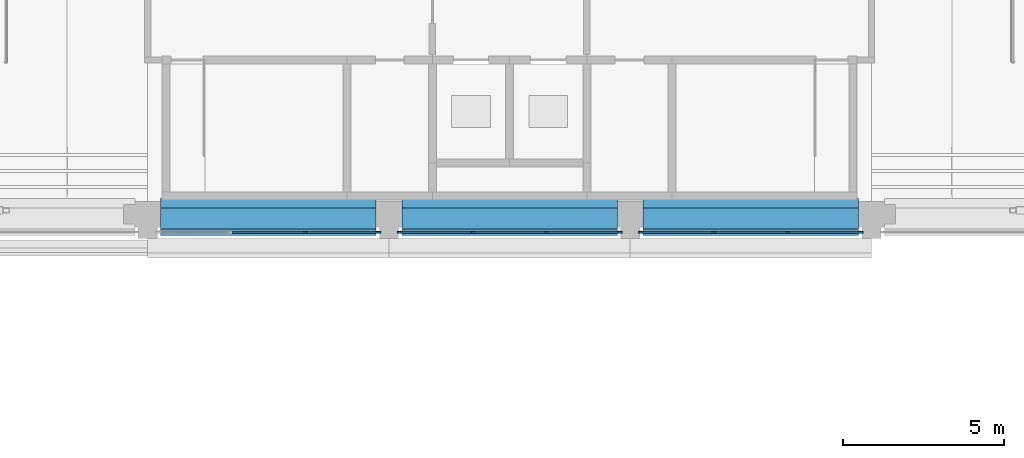
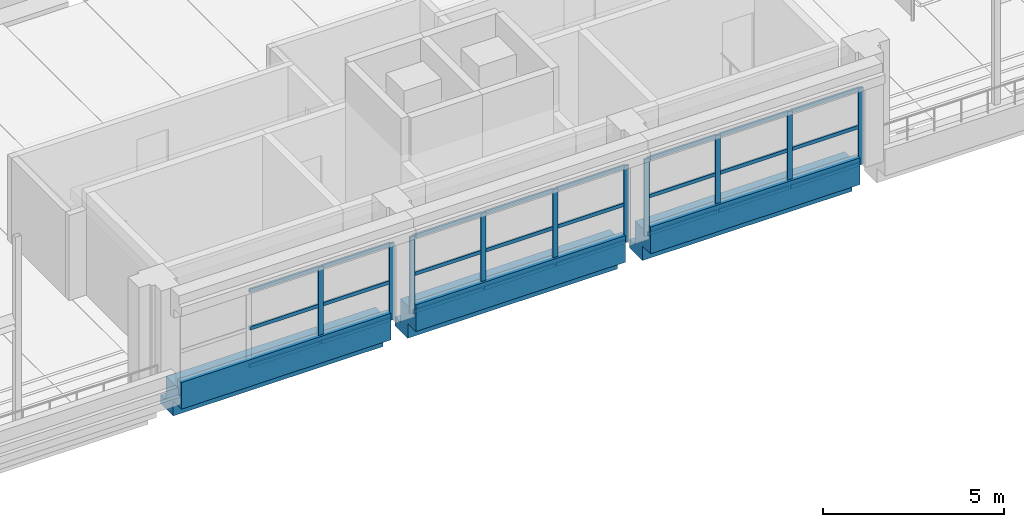
# One storey, part 11 of 62: 34 members, 3 beams, 3 elements without a shape of their own.
"""IFC4 building model written with IfcOpenShell, lengths in metres."""

from ifc_helpers import new_model, si_unit, direction, frame, origin, origin_2d, place, context, subcontext, project, spatial, polyline, rectangle, outline, extrude, material, layer, layer_set, material_profile, profile_set, type_object, element, aggregate, save


model = new_model("IFC4")

# Units and contexts
model_context = context("Model", 3, precision=1e-05, world=origin(), true_north=direction((0.0, 1.0)))
body_context = subcontext(model_context, "Body", "Model", "MODEL_VIEW")
ifc_project = project(units=[si_unit("LENGTHUNIT", "METRE"), si_unit("AREAUNIT", "SQUARE_METRE"), si_unit("VOLUMEUNIT", "CUBIC_METRE"), si_unit("PLANEANGLEUNIT", "RADIAN"), si_unit("MASSUNIT", "GRAM", prefix="KILO")], contexts=[model_context])

# Site, building, storey
site_placement = place(None, origin())
site = spatial("IfcSite", under=ifc_project, at=site_placement, CompositionType="ELEMENT")
building_placement = place(site_placement, origin())
building = spatial("IfcBuilding", under=site, at=building_placement, Name="Cour d'Honneur Mobility Palace", CompositionType="ELEMENT")
storey_placement = place(building_placement, frame((0.0, 0.0, 19.300048828125)))
storey = spatial("IfcBuildingStorey", under=building, at=storey_placement, Name="L05", CompositionType="ELEMENT", Elevation=19.300048828125)

# Curtain wall, members
ifc_material_1 = material(Name="Aluminium and glass", Category="aluminium")
ifc_layer = layer(ifc_material_1, 0.10009765625)
ifc_layer_set = layer_set([ifc_layer], Name="Aluminium and glass")
curtain_wall_type = type_object("IfcCurtainWallType", Name="Curtain wall run", PredefinedType="NOTDEFINED", material=ifc_layer_set)
curtain_wall_1_placement = place(storey_placement, origin())
curtain_wall_1 = element("IfcCurtainWall", 1, at=curtain_wall_1_placement, inside=storey, type_object=curtain_wall_type, Name="Curtain wall CW-84", PredefinedType="NOTDEFINED")
ifc_material_2 = material(Name="Aluminium", Category="aluminium")
ifc_material_profile_1 = material_profile(ifc_material_2, rectangle(XDim=0.06005859375, YDim=0.159912109375, at=origin_2d()), Name="Curtain wall mullion")
ifc_profile_set_1 = profile_set([ifc_material_profile_1], Name="Aluminium")
member_type_1 = type_object("IfcMemberType", Name="Curtain wall mullion", PredefinedType="MULLION", material=ifc_profile_set_1)
member_1_placement = place(storey_placement, frame((74.800048828125, 44.449951171875, 0.0), z_axis=(0.0, 0.0, 1.0), x_axis=(0.0, 1.0, 0.0)))
member_1 = element("IfcMember", 2, at=member_1_placement, type_object=member_type_1, Name="CW-84 mullion 3", PredefinedType="MULLION", context=body_context, shape_type="SweptSolid", body=[
    extrude(rectangle(XDim=0.06005859375, YDim=0.159912109375, at=origin_2d()), origin(), (0.0, 0.0, 1.0), 2.599853515625),
])
member_2_placement = place(storey_placement, frame((77.070068359375, 44.449951171875, 0.0), z_axis=(0.0, 0.0, 1.0), x_axis=(0.0, 1.0, 0.0)))
member_2 = element("IfcMember", 3, at=member_2_placement, type_object=member_type_1, Name="CW-84 mullion 4", PredefinedType="MULLION", context=body_context, shape_type="SweptSolid", body=[
    extrude(rectangle(XDim=0.06005859375, YDim=0.159912109375, at=origin_2d()), origin(), (0.0, 0.0, 1.0), 2.599853515625),
])

curtain_wall_2_placement = place(storey_placement, origin())
curtain_wall_2 = element("IfcCurtainWall", 4, at=curtain_wall_2_placement, inside=storey, type_object=curtain_wall_type, Name="Curtain wall CW-85", PredefinedType="NOTDEFINED")
member_3_placement = place(storey_placement, frame((77.72998046875, 44.449951171875, 0.0), z_axis=(0.0, 0.0, 1.0), x_axis=(0.0, 1.0, 0.0)))
member_3 = element("IfcMember", 5, at=member_3_placement, type_object=member_type_1, Name="CW-85 mullion 1", PredefinedType="MULLION", context=body_context, shape_type="SweptSolid", body=[
    extrude(rectangle(XDim=0.06005859375, YDim=0.159912109375, at=origin_2d()), origin(), (0.0, 0.0, 1.0), 2.599853515625),
])
member_4_placement = place(storey_placement, frame((80.0, 44.449951171875, 0.0), z_axis=(0.0, 0.0, 1.0), x_axis=(0.0, 1.0, 0.0)))
member_4 = element("IfcMember", 6, at=member_4_placement, type_object=member_type_1, Name="CW-85 mullion 2", PredefinedType="MULLION", context=body_context, shape_type="SweptSolid", body=[
    extrude(rectangle(XDim=0.06005859375, YDim=0.159912109375, at=origin_2d()), origin(), (0.0, 0.0, 1.0), 2.599853515625),
])
member_5_placement = place(storey_placement, frame((82.300048828125, 44.449951171875, 0.0), z_axis=(0.0, 0.0, 1.0), x_axis=(0.0, 1.0, 0.0)))
member_5 = element("IfcMember", 7, at=member_5_placement, type_object=member_type_1, Name="CW-85 mullion 3", PredefinedType="MULLION", context=body_context, shape_type="SweptSolid", body=[
    extrude(rectangle(XDim=0.06005859375, YDim=0.159912109375, at=origin_2d()), origin(), (0.0, 0.0, 1.0), 2.599853515625),
])
member_6_placement = place(storey_placement, frame((84.570068359375, 44.449951171875, 0.0), z_axis=(0.0, 0.0, 1.0), x_axis=(0.0, 1.0, 0.0)))
member_6 = element("IfcMember", 8, at=member_6_placement, type_object=member_type_1, Name="CW-85 mullion 4", PredefinedType="MULLION", context=body_context, shape_type="SweptSolid", body=[
    extrude(rectangle(XDim=0.06005859375, YDim=0.159912109375, at=origin_2d()), origin(), (0.0, 0.0, 1.0), 2.599853515625),
])

curtain_wall_3_placement = place(storey_placement, origin())
curtain_wall_3 = element("IfcCurtainWall", 9, at=curtain_wall_3_placement, inside=storey, type_object=curtain_wall_type, Name="Curtain wall CW-86", PredefinedType="NOTDEFINED")
member_7_placement = place(storey_placement, frame((85.22998046875, 44.449951171875, 0.0), z_axis=(0.0, 0.0, 1.0), x_axis=(0.0, 1.0, 0.0)))
member_7 = element("IfcMember", 10, at=member_7_placement, type_object=member_type_1, Name="CW-86 mullion 1", PredefinedType="MULLION", context=body_context, shape_type="SweptSolid", body=[
    extrude(rectangle(XDim=0.06005859375, YDim=0.159912109375, at=origin_2d()), origin(), (0.0, 0.0, 1.0), 2.599853515625),
])
member_8_placement = place(storey_placement, frame((87.5, 44.449951171875, 0.0), z_axis=(0.0, 0.0, 1.0), x_axis=(0.0, 1.0, 0.0)))
member_8 = element("IfcMember", 11, at=member_8_placement, type_object=member_type_1, Name="CW-86 mullion 2", PredefinedType="MULLION", context=body_context, shape_type="SweptSolid", body=[
    extrude(rectangle(XDim=0.06005859375, YDim=0.159912109375, at=origin_2d()), origin(), (0.0, 0.0, 1.0), 2.599853515625),
])
member_9_placement = place(storey_placement, frame((89.800048828125, 44.449951171875, 0.0), z_axis=(0.0, 0.0, 1.0), x_axis=(0.0, 1.0, 0.0)))
member_9 = element("IfcMember", 12, at=member_9_placement, type_object=member_type_1, Name="CW-86 mullion 3", PredefinedType="MULLION", context=body_context, shape_type="SweptSolid", body=[
    extrude(rectangle(XDim=0.06005859375, YDim=0.159912109375, at=origin_2d()), origin(), (0.0, 0.0, 1.0), 2.599853515625),
])
member_10_placement = place(storey_placement, frame((92.070068359375, 44.449951171875, 0.0), z_axis=(0.0, 0.0, 1.0), x_axis=(0.0, 1.0, 0.0)))
member_10 = element("IfcMember", 13, at=member_10_placement, type_object=member_type_1, Name="CW-86 mullion 4", PredefinedType="MULLION", context=body_context, shape_type="SweptSolid", body=[
    extrude(rectangle(XDim=0.06005859375, YDim=0.159912109375, at=origin_2d()), origin(), (0.0, 0.0, 1.0), 2.599853515625),
])

# Member
ifc_material_3 = material(Name="Aluminium", Category="aluminium")
ifc_material_profile_2 = material_profile(ifc_material_3, rectangle(XDim=0.06005859375, YDim=0.1201171875, at=origin_2d()), Name="Curtain wall transom")
ifc_profile_set_2 = profile_set([ifc_material_profile_2], Name="Aluminium")
member_type_2 = type_object("IfcMemberType", Name="Curtain wall transom", PredefinedType="USERDEFINED", material=ifc_profile_set_2)
member_11_placement = place(storey_placement, frame((72.530029296875, 44.449951171875, 0.030029296875), z_axis=(1.0, 0.0, 0.0), x_axis=(0.0, 1.0, 0.0)))
member_11 = element("IfcMember", 14, at=member_11_placement, type_object=member_type_2, Name="CW-84 transom 2.1", ObjectType="TRANSOM", PredefinedType="USERDEFINED", context=body_context, shape_type="SweptSolid", body=[
    extrude(rectangle(XDim=0.06005859375, YDim=0.1201171875, at=origin_2d()), origin(), (0.0, 0.0, 1.0), 2.239990234375),
])

member_12_placement = place(storey_placement, frame((72.530029296875, 44.449951171875, 1.300048828125), z_axis=(1.0, 0.0, 0.0), x_axis=(0.0, 1.0, 0.0)))
member_12 = element("IfcMember", 15, at=member_12_placement, type_object=member_type_2, Name="CW-84 transom 2.2", ObjectType="TRANSOM", PredefinedType="USERDEFINED", context=body_context, shape_type="SweptSolid", body=[
    extrude(rectangle(XDim=0.06005859375, YDim=0.1201171875, at=origin_2d()), origin(), (0.0, 0.0, 1.0), 2.239990234375),
])

member_13_placement = place(storey_placement, frame((72.530029296875, 44.449951171875, 2.570068359375), z_axis=(1.0, 0.0, 0.0), x_axis=(0.0, 1.0, 0.0)))
member_13 = element("IfcMember", 16, at=member_13_placement, type_object=member_type_2, Name="CW-84 transom 2.3", ObjectType="TRANSOM", PredefinedType="USERDEFINED", context=body_context, shape_type="SweptSolid", body=[
    extrude(rectangle(XDim=0.06005859375, YDim=0.1201171875, at=origin_2d()), origin(), (0.0, 0.0, 1.0), 2.239990234375),
])

member_14_placement = place(storey_placement, frame((74.830078125, 44.449951171875, 0.030029296875), z_axis=(1.0, 0.0, 0.0), x_axis=(0.0, 1.0, 0.0)))
member_14 = element("IfcMember", 17, at=member_14_placement, type_object=member_type_2, Name="CW-84 transom 3.1", ObjectType="TRANSOM", PredefinedType="USERDEFINED", context=body_context, shape_type="SweptSolid", body=[
    extrude(rectangle(XDim=0.06005859375, YDim=0.1201171875, at=origin_2d()), origin(), (0.0, 0.0, 1.0), 2.2099609375),
])

member_15_placement = place(storey_placement, frame((74.830078125, 44.449951171875, 1.300048828125), z_axis=(1.0, 0.0, 0.0), x_axis=(0.0, 1.0, 0.0)))
member_15 = element("IfcMember", 18, at=member_15_placement, type_object=member_type_2, Name="CW-84 transom 3.2", ObjectType="TRANSOM", PredefinedType="USERDEFINED", context=body_context, shape_type="SweptSolid", body=[
    extrude(rectangle(XDim=0.06005859375, YDim=0.1201171875, at=origin_2d()), origin(), (0.0, 0.0, 1.0), 2.2099609375),
])

member_16_placement = place(storey_placement, frame((74.830078125, 44.449951171875, 2.570068359375), z_axis=(1.0, 0.0, 0.0), x_axis=(0.0, 1.0, 0.0)))
member_16 = element("IfcMember", 19, at=member_16_placement, type_object=member_type_2, Name="CW-84 transom 3.3", ObjectType="TRANSOM", PredefinedType="USERDEFINED", context=body_context, shape_type="SweptSolid", body=[
    extrude(rectangle(XDim=0.06005859375, YDim=0.1201171875, at=origin_2d()), origin(), (0.0, 0.0, 1.0), 2.2099609375),
])

aggregate(curtain_wall_1, [member_1, member_2, member_11, member_12, member_13, member_14, member_15, member_16])

member_17_placement = place(storey_placement, frame((77.760009765625, 44.449951171875, 0.030029296875), z_axis=(1.0, 0.0, 0.0), x_axis=(0.0, 1.0, 0.0)))
member_17 = element("IfcMember", 20, at=member_17_placement, type_object=member_type_2, Name="CW-85 transom 1.1", ObjectType="TRANSOM", PredefinedType="USERDEFINED", context=body_context, shape_type="SweptSolid", body=[
    extrude(rectangle(XDim=0.06005859375, YDim=0.1201171875, at=origin_2d()), origin(), (0.0, 0.0, 1.0), 2.2099609375),
])

member_18_placement = place(storey_placement, frame((77.760009765625, 44.449951171875, 1.300048828125), z_axis=(1.0, 0.0, 0.0), x_axis=(0.0, 1.0, 0.0)))
member_18 = element("IfcMember", 21, at=member_18_placement, type_object=member_type_2, Name="CW-85 transom 1.2", ObjectType="TRANSOM", PredefinedType="USERDEFINED", context=body_context, shape_type="SweptSolid", body=[
    extrude(rectangle(XDim=0.06005859375, YDim=0.1201171875, at=origin_2d()), origin(), (0.0, 0.0, 1.0), 2.2099609375),
])

member_19_placement = place(storey_placement, frame((77.760009765625, 44.449951171875, 2.570068359375), z_axis=(1.0, 0.0, 0.0), x_axis=(0.0, 1.0, 0.0)))
member_19 = element("IfcMember", 22, at=member_19_placement, type_object=member_type_2, Name="CW-85 transom 1.3", ObjectType="TRANSOM", PredefinedType="USERDEFINED", context=body_context, shape_type="SweptSolid", body=[
    extrude(rectangle(XDim=0.06005859375, YDim=0.1201171875, at=origin_2d()), origin(), (0.0, 0.0, 1.0), 2.2099609375),
])

member_20_placement = place(storey_placement, frame((80.030029296875, 44.449951171875, 0.030029296875), z_axis=(1.0, 0.0, 0.0), x_axis=(0.0, 1.0, 0.0)))
member_20 = element("IfcMember", 23, at=member_20_placement, type_object=member_type_2, Name="CW-85 transom 2.1", ObjectType="TRANSOM", PredefinedType="USERDEFINED", context=body_context, shape_type="SweptSolid", body=[
    extrude(rectangle(XDim=0.06005859375, YDim=0.1201171875, at=origin_2d()), origin(), (0.0, 0.0, 1.0), 2.239990234375),
])

member_21_placement = place(storey_placement, frame((80.030029296875, 44.449951171875, 1.300048828125), z_axis=(1.0, 0.0, 0.0), x_axis=(0.0, 1.0, 0.0)))
member_21 = element("IfcMember", 24, at=member_21_placement, type_object=member_type_2, Name="CW-85 transom 2.2", ObjectType="TRANSOM", PredefinedType="USERDEFINED", context=body_context, shape_type="SweptSolid", body=[
    extrude(rectangle(XDim=0.06005859375, YDim=0.1201171875, at=origin_2d()), origin(), (0.0, 0.0, 1.0), 2.239990234375),
])

member_22_placement = place(storey_placement, frame((80.030029296875, 44.449951171875, 2.570068359375), z_axis=(1.0, 0.0, 0.0), x_axis=(0.0, 1.0, 0.0)))
member_22 = element("IfcMember", 25, at=member_22_placement, type_object=member_type_2, Name="CW-85 transom 2.3", ObjectType="TRANSOM", PredefinedType="USERDEFINED", context=body_context, shape_type="SweptSolid", body=[
    extrude(rectangle(XDim=0.06005859375, YDim=0.1201171875, at=origin_2d()), origin(), (0.0, 0.0, 1.0), 2.239990234375),
])

member_23_placement = place(storey_placement, frame((82.330078125, 44.449951171875, 0.030029296875), z_axis=(1.0, 0.0, 0.0), x_axis=(0.0, 1.0, 0.0)))
member_23 = element("IfcMember", 26, at=member_23_placement, type_object=member_type_2, Name="CW-85 transom 3.1", ObjectType="TRANSOM", PredefinedType="USERDEFINED", context=body_context, shape_type="SweptSolid", body=[
    extrude(rectangle(XDim=0.06005859375, YDim=0.1201171875, at=origin_2d()), origin(), (0.0, 0.0, 1.0), 2.2099609375),
])

member_24_placement = place(storey_placement, frame((82.330078125, 44.449951171875, 1.300048828125), z_axis=(1.0, 0.0, 0.0), x_axis=(0.0, 1.0, 0.0)))
member_24 = element("IfcMember", 27, at=member_24_placement, type_object=member_type_2, Name="CW-85 transom 3.2", ObjectType="TRANSOM", PredefinedType="USERDEFINED", context=body_context, shape_type="SweptSolid", body=[
    extrude(rectangle(XDim=0.06005859375, YDim=0.1201171875, at=origin_2d()), origin(), (0.0, 0.0, 1.0), 2.2099609375),
])

member_25_placement = place(storey_placement, frame((82.330078125, 44.449951171875, 2.570068359375), z_axis=(1.0, 0.0, 0.0), x_axis=(0.0, 1.0, 0.0)))
member_25 = element("IfcMember", 28, at=member_25_placement, type_object=member_type_2, Name="CW-85 transom 3.3", ObjectType="TRANSOM", PredefinedType="USERDEFINED", context=body_context, shape_type="SweptSolid", body=[
    extrude(rectangle(XDim=0.06005859375, YDim=0.1201171875, at=origin_2d()), origin(), (0.0, 0.0, 1.0), 2.2099609375),
])

aggregate(curtain_wall_2, [member_3, member_4, member_5, member_6, member_17, member_18, member_19, member_20, member_21, member_22, member_23, member_24, member_25])

member_26_placement = place(storey_placement, frame((85.260009765625, 44.449951171875, 0.030029296875), z_axis=(1.0, 0.0, 0.0), x_axis=(0.0, 1.0, 0.0)))
member_26 = element("IfcMember", 29, at=member_26_placement, type_object=member_type_2, Name="CW-86 transom 1.1", ObjectType="TRANSOM", PredefinedType="USERDEFINED", context=body_context, shape_type="SweptSolid", body=[
    extrude(rectangle(XDim=0.06005859375, YDim=0.1201171875, at=origin_2d()), origin(), (0.0, 0.0, 1.0), 2.2099609375),
])

member_27_placement = place(storey_placement, frame((85.260009765625, 44.449951171875, 1.300048828125), z_axis=(1.0, 0.0, 0.0), x_axis=(0.0, 1.0, 0.0)))
member_27 = element("IfcMember", 30, at=member_27_placement, type_object=member_type_2, Name="CW-86 transom 1.2", ObjectType="TRANSOM", PredefinedType="USERDEFINED", context=body_context, shape_type="SweptSolid", body=[
    extrude(rectangle(XDim=0.06005859375, YDim=0.1201171875, at=origin_2d()), origin(), (0.0, 0.0, 1.0), 2.2099609375),
])

member_28_placement = place(storey_placement, frame((85.260009765625, 44.449951171875, 2.570068359375), z_axis=(1.0, 0.0, 0.0), x_axis=(0.0, 1.0, 0.0)))
member_28 = element("IfcMember", 31, at=member_28_placement, type_object=member_type_2, Name="CW-86 transom 1.3", ObjectType="TRANSOM", PredefinedType="USERDEFINED", context=body_context, shape_type="SweptSolid", body=[
    extrude(rectangle(XDim=0.06005859375, YDim=0.1201171875, at=origin_2d()), origin(), (0.0, 0.0, 1.0), 2.2099609375),
])

member_29_placement = place(storey_placement, frame((87.530029296875, 44.449951171875, 0.030029296875), z_axis=(1.0, 0.0, 0.0), x_axis=(0.0, 1.0, 0.0)))
member_29 = element("IfcMember", 32, at=member_29_placement, type_object=member_type_2, Name="CW-86 transom 2.1", ObjectType="TRANSOM", PredefinedType="USERDEFINED", context=body_context, shape_type="SweptSolid", body=[
    extrude(rectangle(XDim=0.06005859375, YDim=0.1201171875, at=origin_2d()), origin(), (0.0, 0.0, 1.0), 2.239990234375),
])

member_30_placement = place(storey_placement, frame((87.530029296875, 44.449951171875, 1.300048828125), z_axis=(1.0, 0.0, 0.0), x_axis=(0.0, 1.0, 0.0)))
member_30 = element("IfcMember", 33, at=member_30_placement, type_object=member_type_2, Name="CW-86 transom 2.2", ObjectType="TRANSOM", PredefinedType="USERDEFINED", context=body_context, shape_type="SweptSolid", body=[
    extrude(rectangle(XDim=0.06005859375, YDim=0.1201171875, at=origin_2d()), origin(), (0.0, 0.0, 1.0), 2.239990234375),
])

member_31_placement = place(storey_placement, frame((87.530029296875, 44.449951171875, 2.570068359375), z_axis=(1.0, 0.0, 0.0), x_axis=(0.0, 1.0, 0.0)))
member_31 = element("IfcMember", 34, at=member_31_placement, type_object=member_type_2, Name="CW-86 transom 2.3", ObjectType="TRANSOM", PredefinedType="USERDEFINED", context=body_context, shape_type="SweptSolid", body=[
    extrude(rectangle(XDim=0.06005859375, YDim=0.1201171875, at=origin_2d()), origin(), (0.0, 0.0, 1.0), 2.239990234375),
])

member_32_placement = place(storey_placement, frame((89.830078125, 44.449951171875, 0.030029296875), z_axis=(1.0, 0.0, 0.0), x_axis=(0.0, 1.0, 0.0)))
member_32 = element("IfcMember", 35, at=member_32_placement, type_object=member_type_2, Name="CW-86 transom 3.1", ObjectType="TRANSOM", PredefinedType="USERDEFINED", context=body_context, shape_type="SweptSolid", body=[
    extrude(rectangle(XDim=0.06005859375, YDim=0.1201171875, at=origin_2d()), origin(), (0.0, 0.0, 1.0), 2.2099609375),
])

member_33_placement = place(storey_placement, frame((89.830078125, 44.449951171875, 1.300048828125), z_axis=(1.0, 0.0, 0.0), x_axis=(0.0, 1.0, 0.0)))
member_33 = element("IfcMember", 36, at=member_33_placement, type_object=member_type_2, Name="CW-86 transom 3.2", ObjectType="TRANSOM", PredefinedType="USERDEFINED", context=body_context, shape_type="SweptSolid", body=[
    extrude(rectangle(XDim=0.06005859375, YDim=0.1201171875, at=origin_2d()), origin(), (0.0, 0.0, 1.0), 2.2099609375),
])

member_34_placement = place(storey_placement, frame((89.830078125, 44.449951171875, 2.570068359375), z_axis=(1.0, 0.0, 0.0), x_axis=(0.0, 1.0, 0.0)))
member_34 = element("IfcMember", 37, at=member_34_placement, type_object=member_type_2, Name="CW-86 transom 3.3", ObjectType="TRANSOM", PredefinedType="USERDEFINED", context=body_context, shape_type="SweptSolid", body=[
    extrude(rectangle(XDim=0.06005859375, YDim=0.1201171875, at=origin_2d()), origin(), (0.0, 0.0, 1.0), 2.2099609375),
])

aggregate(curtain_wall_3, [member_7, member_8, member_9, member_10, member_26, member_27, member_28, member_29, member_30, member_31, member_32, member_33, member_34])

# Beams
ifc_material_4 = material(Name="Concrete C45", Category="concrete")
ifc_material_profile_3 = material_profile(ifc_material_4, outline(polyline([(0.5, -1.10009765625), (0.5, -0.800048828125), (0.199951171875, -0.800048828125), (0.199951171875, 0.0), (-0.199951171875, 0.0), (-0.449951171875, 0.0), (-0.449951171875, 0.300048828125), (-0.64990234375, 0.300048828125), (-0.64990234375, -0.60009765625), (-0.199951171875, -0.60009765625), (-0.199951171875, -1.10009765625), (0.5, -1.10009765625)])), Name="Ledger Beam 400x1100 ledge left 300 facade right")
ifc_profile_set_3 = profile_set([ifc_material_profile_3], Name="Concrete C45")
beam_type = type_object("IfcBeamType", Name="Ledger Beam 400x1100 ledge left 300 facade right", PredefinedType="BEAM", material=ifc_profile_set_3)
for number, where, z_axis, x_axis, name in (
    (38, (70.300048828125, 45.0, 0.0), (1.0, 0.0, 0.0), (0.0, 1.0, 0.0), "Precast beam B3 9-10 L05"),
    (39, (77.800048828125, 45.0, 0.0), (1.0, 0.0, 0.0), (0.0, 1.0, 0.0), "Precast beam B3 10-11 L05"),
    (40, (85.300048828125, 45.0, 0.0), (1.0, 0.0, 0.0), (0.0, 1.0, 0.0), "Precast beam B3 11-12 L05"),
):
    element("IfcBeam", number, at=place(storey_placement, frame(where, z_axis=z_axis, x_axis=x_axis)), inside=storey, type_object=beam_type, Name=name, PredefinedType="BEAM", context=body_context, shape_type="SweptSolid", body=[
        extrude(outline(polyline([(0.5, -1.10009765625), (0.5, -0.800048828125), (0.199951171875, -0.800048828125), (0.199951171875, 0.0), (-0.199951171875, 0.0), (-0.449951171875, 0.0), (-0.449951171875, 0.300048828125), (-0.64990234375, 0.300048828125), (-0.64990234375, -0.60009765625), (-0.199951171875, -0.60009765625), (-0.199951171875, -1.10009765625), (0.5, -1.10009765625)])), origin(), (0.0, 0.0, 1.0), 6.699951171875),
    ])

save(model, "model.ifc")
